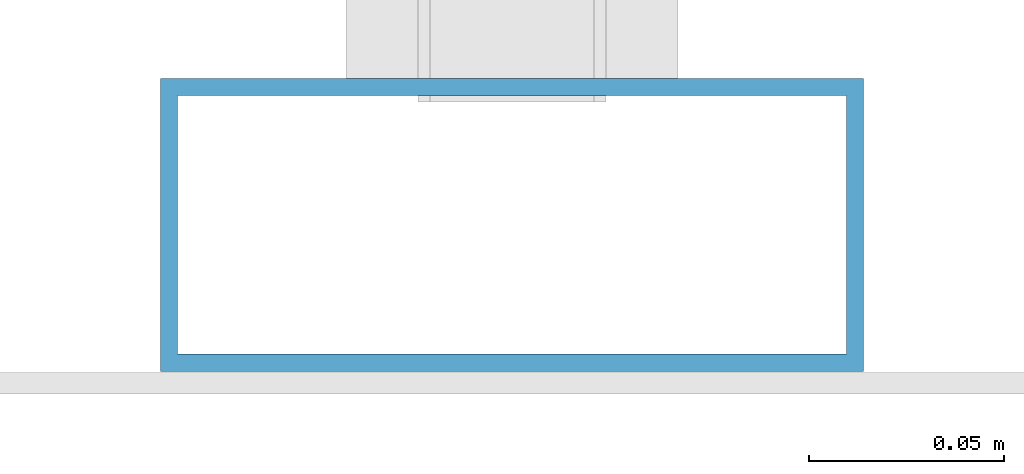
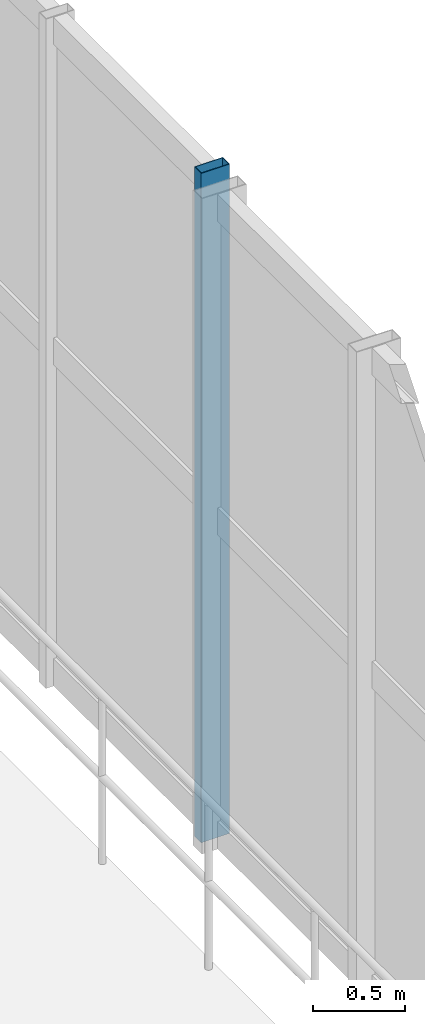
# One storey, part 34 of 80: 1 member, 1 element without a shape of its own.
"""IFC4 building model written with IfcOpenShell, lengths in metres."""

from ifc_helpers import new_model, si_unit, direction, frame, origin, origin_2d, place, context, subcontext, project, spatial, hollow_rectangle, extrude, material, layer, layer_set, material_profile, profile_set, type_object, element, aggregate, save


model = new_model("IFC4")

# Units and contexts
model_context = context("Model", 3, precision=1e-05, world=origin(), true_north=direction((0.0, 1.0)))
body_context = subcontext(model_context, "Body", "Model", "MODEL_VIEW")
ifc_project = project(units=[si_unit("LENGTHUNIT", "METRE"), si_unit("AREAUNIT", "SQUARE_METRE"), si_unit("VOLUMEUNIT", "CUBIC_METRE"), si_unit("PLANEANGLEUNIT", "RADIAN"), si_unit("MASSUNIT", "GRAM", prefix="KILO"), si_unit("POWERUNIT", "WATT"), si_unit("THERMODYNAMICTEMPERATUREUNIT", "KELVIN")], contexts=[model_context])

# Site, building, storey
site_placement = place(None, origin())
site = spatial("IfcSite", under=ifc_project, at=site_placement, CompositionType="ELEMENT")
building_placement = place(site_placement, origin())
building = spatial("IfcBuilding", under=site, at=building_placement, Name="Kelmbourne Parkland Aquatics Centre", CompositionType="ELEMENT")
storey_placement = place(building_placement, frame((0.0, 0.0, 10.199951171875)))
storey = spatial("IfcBuildingStorey", under=building, at=storey_placement, Name="L02", CompositionType="ELEMENT", Elevation=10.199951171875)

# Curtain wall, member
ifc_material = material(Name="Thermally broken anodised aluminium framing", Category="aluminium")
ifc_layer = layer(ifc_material, 0.179931640625)
ifc_layer_set = layer_set([ifc_layer], Name="Thermally broken anodised aluminium framing")
curtain_wall_type = type_object("IfcCurtainWallType", Name="CW-08", PredefinedType="NOTDEFINED", material=ifc_layer_set)
curtain_wall_placement = place(storey_placement, origin())
curtain_wall = element("IfcCurtainWall", 1, at=curtain_wall_placement, inside=storey, type_object=curtain_wall_type, Name="Wave-hall clerestory curtain wall CW-L02-056", PredefinedType="NOTDEFINED")
ifc_material_profile = material_profile(ifc_material, hollow_rectangle(XDim=0.074951171875, YDim=0.179931640625, WallThickness=0.00439453125, at=origin_2d()), Name="CW-M 75x180")
ifc_profile_set = profile_set([ifc_material_profile], Name="Thermally broken anodised aluminium framing")
member_type = type_object("IfcMemberType", Name="MB-MUL-2", PredefinedType="MULLION", material=ifc_profile_set)
member_placement = place(storey_placement, frame((128.0, 63.53759765625, 0.0), z_axis=(0.0, 0.0, 1.0), x_axis=(0.0, 1.0, 0.0)))
member = element("IfcMember", 2, at=member_placement, type_object=member_type, Name="CW-L02-056 mullion 0", PredefinedType="MULLION", context=body_context, shape_type="SweptSolid", body=[
    extrude(hollow_rectangle(XDim=0.074951171875, YDim=0.179931640625, WallThickness=0.00439453125, at=origin_2d()), origin(), (0.0, 0.0, 1.0), 4.449951171875),
])
aggregate(curtain_wall, [member])

save(model, "model.ifc")
